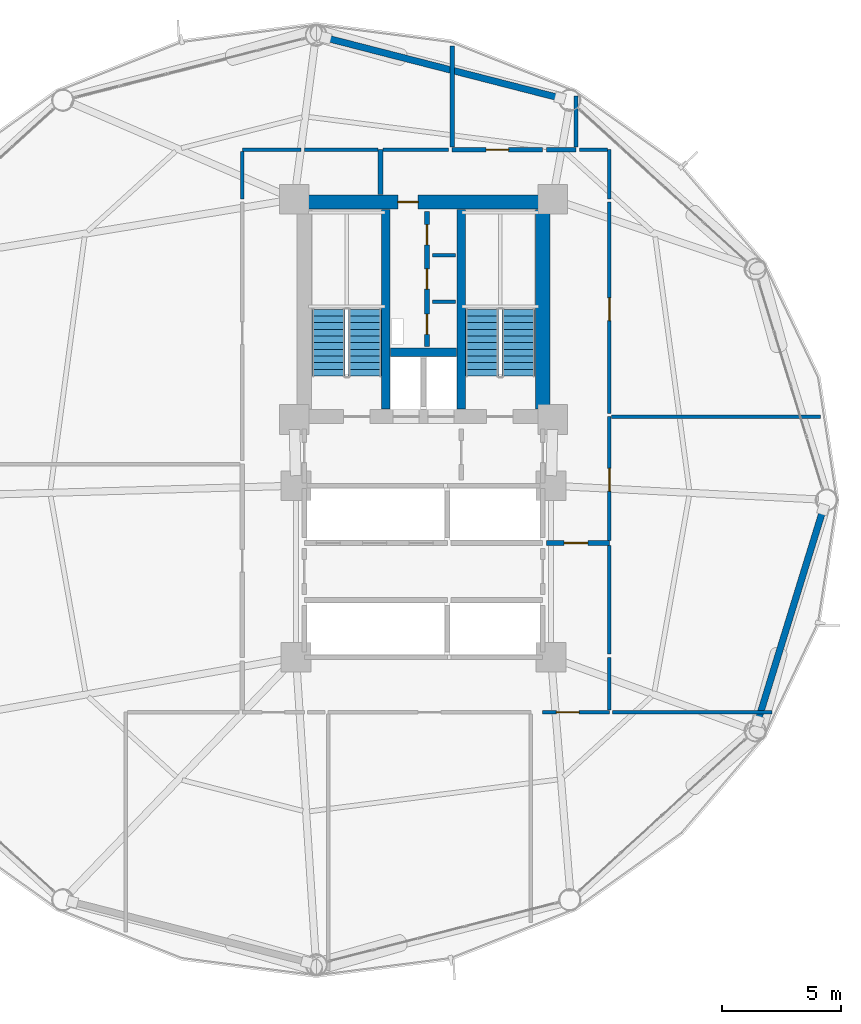
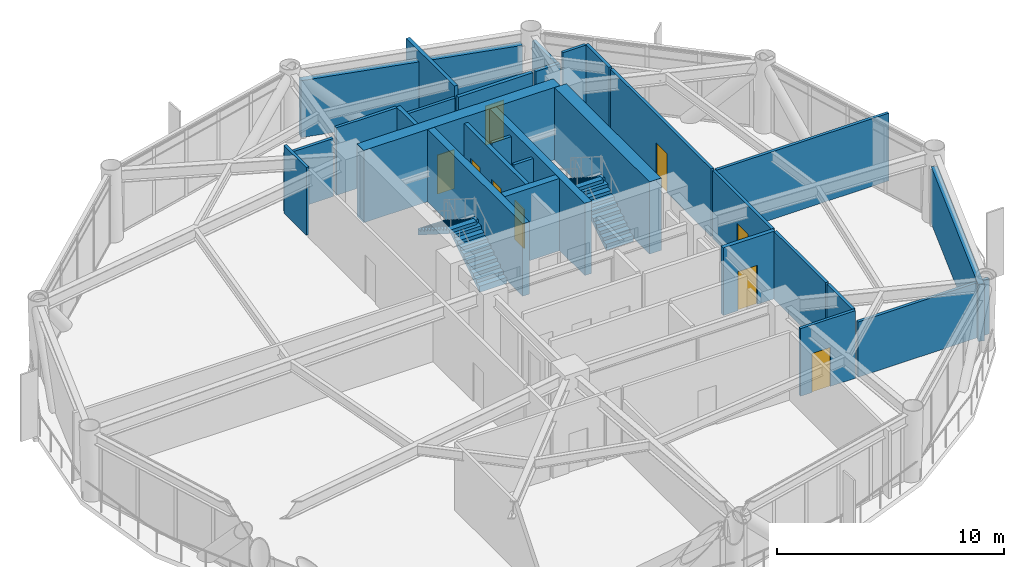
# One storey, part 21 of 25: 29 walls, 9 doors, 4 stair flights, 9 openings, 2 elements without a shape of their own.
"""IFC4 building model written with IfcOpenShell, lengths in metres."""

from ifc_helpers import new_model, si_unit, direction, frame, frame_2d, origin, place, context, subcontext, project, spatial, polyline, rectangle, outline, extrude, material, layer, layer_set, type_object, element, fill, aggregate, save


model = new_model("IFC4")

# Units and contexts
model_context = context("Model", 3, precision=1e-05, world=origin(), true_north=direction((0.0, 1.0)))
body_context = subcontext(model_context, "Body", "Model", "MODEL_VIEW")
ifc_project = project(units=[si_unit("LENGTHUNIT", "METRE"), si_unit("AREAUNIT", "SQUARE_METRE"), si_unit("VOLUMEUNIT", "CUBIC_METRE"), si_unit("PLANEANGLEUNIT", "RADIAN"), si_unit("MASSUNIT", "GRAM", prefix="KILO")], contexts=[model_context])

# Site, building, storey
site_placement = place(None, origin())
site = spatial("IfcSite", under=ifc_project, at=site_placement, CompositionType="ELEMENT")
building_placement = place(site_placement, origin())
building = spatial("IfcBuilding", under=site, at=building_placement, Name="Varnakorn Sky Granary", CompositionType="ELEMENT")
storey_placement = place(building_placement, frame((0.0, 0.0, 58.800048828125)))
storey = spatial("IfcBuildingStorey", under=building, at=storey_placement, Name="L14", CompositionType="ELEMENT", Elevation=58.800048828125)

# Walls
ifc_material_1 = material(Name="Concrete C50/60", Category="concrete")
ifc_layer_1 = layer(ifc_material_1, 0.35009765625, Name="Concrete C50/60")
ifc_layer_set_1 = layer_set([ifc_layer_1], Name="Concrete C50/60")
wall_type_1 = type_object("IfcWallType", Name="WT-CW-INT-350", PredefinedType="SHEAR", material=ifc_layer_set_1)
for number, where, z_axis, x_axis, name in (
    (1, (1.419921875, 3.81005859375, 0.0), (0.0, 0.0, 1.0), (0.0, 1.0, 0.0), "Stair ST-1 Core Wall L14"),
    (2, (4.580078125, 3.81005859375, 0.0), (0.0, 0.0, 1.0), (0.0, 1.0, 0.0), "Stair ST-2 Core Wall L14"),
):
    element("IfcWall", number, at=place(storey_placement, frame(where, z_axis=z_axis, x_axis=x_axis)), inside=storey, type_object=wall_type_1, Name=name, PredefinedType="SHEAR", context=body_context, shape_type="SweptSolid", body=[
        extrude(rectangle(XDim=8.3798828125, YDim=0.35009765625, at=frame_2d((4.18994140625, 0.0))), origin(), (0.0, 0.0, 1.0), 3.891845703125),
    ])
wall_1_placement = place(storey_placement, frame((1.610107421875, 6.199951171875, 0.0), z_axis=(0.0, 0.0, 1.0), x_axis=(1.0, 0.0, 0.0)))
element("IfcWall", 3, at=wall_1_placement, inside=storey, type_object=wall_type_1, Name="Core Lift Shaft Cross Wall L14", PredefinedType="SHEAR", context=body_context, shape_type="SweptSolid", body=[
    extrude(rectangle(XDim=2.77978515625, YDim=0.35009765625, at=frame_2d((1.389892578125, 0.0))), origin(), (0.0, 0.0, 1.0), 3.891845703125),
])

# Wall, opening, door
ifc_material_2 = material(Name="Concrete C60/75", Category="concrete")
ifc_layer_2 = layer(ifc_material_2, 0.60009765625, Name="Concrete C60/75")
ifc_layer_set_2 = layer_set([ifc_layer_2], Name="Concrete C60/75")
wall_type_2 = type_object("IfcWallType", Name="WT-CW-SHEAR-600", PredefinedType="SHEAR", material=ifc_layer_set_2)
wall_2_placement = place(storey_placement, frame((-2.0, 12.5, 0.0), z_axis=(0.0, 0.0, 1.0), x_axis=(1.0, 0.0, 0.0)))
wall_2 = element("IfcWall", 4, at=wall_2_placement, inside=storey, type_object=wall_type_2, Name="Core North Shear Wall L14", PredefinedType="SHEAR", context=body_context, shape_type="SweptSolid", body=[
    extrude(rectangle(XDim=10.0, YDim=0.60009765625, at=frame_2d((5.0, 0.0))), origin(), (0.0, 0.0, 1.0), 3.891845703125),
])
opening_1_placement = place(wall_2_placement, frame((3.919921875, 0.0, 0.0)))
opening_1 = element("IfcOpeningElement", 5, at=opening_1_placement, cuts=wall_2, Name="Opening FD-60N", PredefinedType="OPENING", context=body_context, shape_type="SweptSolid", body=[
    extrude(rectangle(XDim=0.85009765625, YDim=2.10009765625, at=frame_2d((0.425048828125, 1.050048828125))), frame((0.0, 0.31005859375, 0.0), z_axis=(0.0, -1.0, 0.0), x_axis=(1.0, 0.0, 0.0)), (0.0, 0.0, 1.0), 0.6201171875),
])
ifc_material_3 = material(Name="Acoustic Timber Fire Leaf", Category="wood")
door_type_1 = type_object("IfcDoorType", Name="DR-FD60-850", OperationType="NOTDEFINED", PredefinedType="DOOR", material=ifc_material_3)
door_1_placement = place(opening_1_placement, origin())
door_1 = element("IfcDoor", 6, at=door_1_placement, inside=storey, type_object=door_type_1, Name="Core North Service Door L14", OperationType="SINGLE_SWING_RIGHT", OverallHeight=2.10009765625, OverallWidth=0.85009765625, PredefinedType="DOOR", context=body_context, shape_type="SweptSolid", body=[
    extrude(rectangle(XDim=0.85009765625, YDim=2.10009765625, at=frame_2d((0.425048828125, 1.050048828125))), frame((0.0, 0.02490234375, 0.0), z_axis=(0.0, -1.0, 0.0), x_axis=(1.0, 0.0, 0.0)), (0.0, 0.0, 1.0), 0.050048828125),
])
fill(opening_1, door_1)

# Walls
wall_3_placement = place(storey_placement, frame((8.0, 3.81005859375, 0.0), z_axis=(0.0, 0.0, 1.0), x_axis=(0.0, 1.0, 0.0)))
element("IfcWall", 7, at=wall_3_placement, inside=storey, type_object=wall_type_2, Name="Core East Shear Wall L14", PredefinedType="SHEAR", context=body_context, shape_type="SweptSolid", body=[
    extrude(rectangle(XDim=8.3798828125, YDim=0.60009765625, at=frame_2d((4.18994140625, 0.0))), origin(), (0.0, 0.0, 1.0), 3.891845703125),
])
ifc_material_4 = material(Name="Precast concrete C40/50", Category="concrete")
ifc_layer_3 = layer(ifc_material_4, 0.280029296875, Name="Precast concrete C40/50")
ifc_layer_set_3 = layer_set([ifc_layer_3], Name="Precast concrete C40/50")
wall_type_3 = type_object("IfcWallType", Name="WT-EW-CRN-280", PredefinedType="SOLIDWALL", material=ifc_layer_set_3)
wall_4_placement = place(storey_placement, frame((-1.100830078125, 19.3876953125, 0.0), z_axis=(0.0, 0.0, 1.0), x_axis=(0.968583068647, -0.248690247355, 0.0)))
element("IfcWall", 8, at=wall_4_placement, inside=storey, type_object=wall_type_3, Name="Agritech Insulated Precast Facade Wall L14-P03", PredefinedType="SOLIDWALL", context=body_context, shape_type="SweptSolid", body=[
    extrude(rectangle(XDim=10.14697265625, YDim=0.280029296875, at=frame_2d((5.073486328125, 0.0))), origin(), (0.0, 0.0, 1.0), 3.06005859375),
])
wall_5_placement = place(storey_placement, frame((19.7666015625, -0.393798828125, 0.0), z_axis=(0.0, 0.0, 1.0), x_axis=(-0.294517365883, -0.955646127598, 0.0)))
element("IfcWall", 9, at=wall_5_placement, inside=storey, type_object=wall_type_3, Name="Agritech Insulated Precast Facade Wall L14-P12", PredefinedType="SOLIDWALL", context=body_context, shape_type="SweptSolid", body=[
    extrude(rectangle(XDim=9.302490234375, YDim=0.280029296875, at=frame_2d((4.6513671875, 0.0))), origin(), (0.0, 0.0, 1.0), 3.06005859375),
])

# Wall, openings, doors
ifc_material_5 = material(Name="Autoclaved Aerated Concrete Blockwork", Category="masonry")
ifc_layer_4 = layer(ifc_material_5, 0.199951171875, Name="Autoclaved Aerated Concrete Blockwork")
ifc_layer_set_4 = layer_set([ifc_layer_4], Name="Autoclaved Aerated Concrete Blockwork")
wall_type_4 = type_object("IfcWallType", Name="WT-FIRE-200", PredefinedType="MOVABLE", material=ifc_layer_set_4)
wall_6_placement = place(storey_placement, frame((3.14990234375, 6.449951171875, 0.0), z_axis=(0.0, 0.0, 1.0), x_axis=(0.0, 1.0, 0.0)))
wall_6 = element("IfcWall", 10, at=wall_6_placement, inside=storey, type_object=wall_type_4, Name="Interior Partition Wall L14-015", PredefinedType="MOVABLE", context=body_context, shape_type="SweptSolid", body=[
    extrude(rectangle(XDim=5.650146484375, YDim=0.199951171875, at=frame_2d((2.8251953125, 0.0))), origin(), (0.0, 0.0, 1.0), 3.639892578125),
])
opening_2_placement = place(wall_6_placement, frame((0.5, 0.0, 0.0)))
opening_2 = element("IfcOpeningElement", 11, at=opening_2_placement, cuts=wall_6, Name="Opening FD-60N", PredefinedType="OPENING", context=body_context, shape_type="SweptSolid", body=[
    extrude(rectangle(XDim=0.85009765625, YDim=2.10009765625, at=frame_2d((0.425048828125, 1.050048828125))), frame((0.0, 0.10986328125, 0.0), z_axis=(0.0, -1.0, 0.0), x_axis=(1.0, 0.0, 0.0)), (0.0, 0.0, 1.0), 0.219970703125),
])
opening_3_placement = place(wall_6_placement, frame((2.39990234375, 0.0, 0.0)))
opening_3 = element("IfcOpeningElement", 12, at=opening_3_placement, cuts=wall_6, Name="Opening FD-60N", PredefinedType="OPENING", context=body_context, shape_type="SweptSolid", body=[
    extrude(rectangle(XDim=0.85009765625, YDim=2.10009765625, at=frame_2d((0.425048828125, 1.050048828125))), frame((0.0, 0.10986328125, 0.0), z_axis=(0.0, -1.0, 0.0), x_axis=(1.0, 0.0, 0.0)), (0.0, 0.0, 1.0), 0.219970703125),
])
opening_4_placement = place(wall_6_placement, frame((4.25, 0.0, 0.0)))
opening_4 = element("IfcOpeningElement", 13, at=opening_4_placement, cuts=wall_6, Name="Opening FD-60N", PredefinedType="OPENING", context=body_context, shape_type="SweptSolid", body=[
    extrude(rectangle(XDim=0.85009765625, YDim=2.10009765625, at=frame_2d((0.425048828125, 1.050048828125))), frame((0.0, 0.10986328125, 0.0), z_axis=(0.0, -1.0, 0.0), x_axis=(1.0, 0.0, 0.0)), (0.0, 0.0, 1.0), 0.219970703125),
])
door_2_placement = place(opening_2_placement, origin())
door_2 = element("IfcDoor", 14, at=door_2_placement, inside=storey, type_object=door_type_1, Name="Interior Door L14-015-1", OperationType="SINGLE_SWING_LEFT", OverallHeight=2.10009765625, OverallWidth=0.85009765625, PredefinedType="DOOR", context=body_context, shape_type="SweptSolid", body=[
    extrude(rectangle(XDim=0.85009765625, YDim=2.10009765625, at=frame_2d((0.425048828125, 1.050048828125))), frame((0.0, 0.02490234375, 0.0), z_axis=(0.0, -1.0, 0.0), x_axis=(1.0, 0.0, 0.0)), (0.0, 0.0, 1.0), 0.050048828125),
])
fill(opening_2, door_2)
door_3_placement = place(opening_3_placement, origin())
door_3 = element("IfcDoor", 15, at=door_3_placement, inside=storey, type_object=door_type_1, Name="Interior Door L14-015-2", OperationType="SINGLE_SWING_RIGHT", OverallHeight=2.10009765625, OverallWidth=0.85009765625, PredefinedType="DOOR", context=body_context, shape_type="SweptSolid", body=[
    extrude(rectangle(XDim=0.85009765625, YDim=2.10009765625, at=frame_2d((0.425048828125, 1.050048828125))), frame((0.0, 0.02490234375, 0.0), z_axis=(0.0, -1.0, 0.0), x_axis=(1.0, 0.0, 0.0)), (0.0, 0.0, 1.0), 0.050048828125),
])
fill(opening_3, door_3)
door_4_placement = place(opening_4_placement, origin())
door_4 = element("IfcDoor", 16, at=door_4_placement, inside=storey, type_object=door_type_1, Name="Interior Door L14-015-3", OperationType="SINGLE_SWING_LEFT", OverallHeight=2.10009765625, OverallWidth=0.85009765625, PredefinedType="DOOR", context=body_context, shape_type="SweptSolid", body=[
    extrude(rectangle(XDim=0.85009765625, YDim=2.10009765625, at=frame_2d((0.425048828125, 1.050048828125))), frame((0.0, 0.02490234375, 0.0), z_axis=(0.0, -1.0, 0.0), x_axis=(1.0, 0.0, 0.0)), (0.0, 0.0, 1.0), 0.050048828125),
])
fill(opening_4, door_4)

# Wall, opening, door
wall_7_placement = place(storey_placement, frame((8.159912109375, -1.800048828125, 0.0), z_axis=(0.0, 0.0, 1.0), x_axis=(1.0, 0.0, 0.0)))
wall_7 = element("IfcWall", 17, at=wall_7_placement, inside=storey, type_object=wall_type_4, Name="Interior Partition Wall L14-021", PredefinedType="MOVABLE", context=body_context, shape_type="SweptSolid", body=[
    extrude(rectangle(XDim=2.64013671875, YDim=0.199951171875, at=frame_2d((1.320068359375, 0.0))), origin(), (0.0, 0.0, 1.0), 3.639892578125),
])
opening_5_placement = place(wall_7_placement, frame((0.739990234375, 0.0, 0.0)))
opening_5 = element("IfcOpeningElement", 18, at=opening_5_placement, cuts=wall_7, Name="Opening FD-60", PredefinedType="OPENING", context=body_context, shape_type="SweptSolid", body=[
    extrude(rectangle(XDim=1.0, YDim=2.10009765625, at=frame_2d((0.5, 1.050048828125))), frame((0.0, 0.10986328125, 0.0), z_axis=(0.0, -1.0, 0.0), x_axis=(1.0, 0.0, 0.0)), (0.0, 0.0, 1.0), 0.219970703125),
])
door_type_2 = type_object("IfcDoorType", Name="DR-FD60-1000", OperationType="NOTDEFINED", PredefinedType="DOOR", material=ifc_material_3)
door_5_placement = place(opening_5_placement, origin())
door_5 = element("IfcDoor", 19, at=door_5_placement, inside=storey, type_object=door_type_2, Name="Interior Door L14-021-1", OperationType="SINGLE_SWING_LEFT", OverallHeight=2.10009765625, OverallWidth=1.0, PredefinedType="DOOR", context=body_context, shape_type="SweptSolid", body=[
    extrude(rectangle(XDim=1.0, YDim=2.10009765625, at=frame_2d((0.5, 1.050048828125))), frame((0.0, 0.02490234375, 0.0), z_axis=(0.0, -1.0, 0.0), x_axis=(1.0, 0.0, 0.0)), (0.0, 0.0, 1.0), 0.050048828125),
])
fill(opening_5, door_5)

# Wall
wall_8_placement = place(storey_placement, frame((1.199951171875, 14.699951171875, 0.0), z_axis=(0.0, 0.0, 1.0), x_axis=(0.0, -1.0, 0.0)))
element("IfcWall", 20, at=wall_8_placement, inside=storey, type_object=wall_type_4, Name="Interior Partition Wall L14-033", PredefinedType="MOVABLE", context=body_context, shape_type="SweptSolid", body=[
    extrude(rectangle(XDim=1.889892578125, YDim=0.199951171875, at=frame_2d((0.94482421875, 0.0))), origin(), (0.0, 0.0, 1.0), 3.639892578125),
])

# Wall, opening, door
ifc_material_6 = material(Name="Gypsum Plasterboard on Steel Stud", Category="steel")
ifc_layer_5 = layer(ifc_material_6, 0.14990234375, Name="Gypsum Plasterboard on Steel Stud")
ifc_layer_set_5 = layer_set([ifc_layer_5], Name="Gypsum Plasterboard on Steel Stud")
wall_type_5 = type_object("IfcWallType", Name="WT-PART-150", PredefinedType="PARTITIONING", material=ifc_layer_set_5)
wall_9_placement = place(storey_placement, frame((8.0, -8.89990234375, 0.0), z_axis=(0.0, 0.0, 1.0), x_axis=(1.0, 0.0, 0.0)))
wall_9 = element("IfcWall", 21, at=wall_9_placement, inside=storey, type_object=wall_type_5, Name="Interior Partition Wall L14-025", PredefinedType="PARTITIONING", context=body_context, shape_type="SweptSolid", body=[
    extrude(rectangle(XDim=2.800048828125, YDim=0.14990234375, at=frame_2d((1.39990234375, 0.0))), origin(), (0.0, 0.0, 1.0), 3.639892578125),
])
opening_6_placement = place(wall_9_placement, frame((0.574951171875, 0.0, 0.0)))
opening_6 = element("IfcOpeningElement", 22, at=opening_6_placement, cuts=wall_9, Name="Opening ID-95", PredefinedType="OPENING", context=body_context, shape_type="SweptSolid", body=[
    extrude(rectangle(XDim=0.949951171875, YDim=2.10009765625, at=frame_2d((0.47509765625, 1.050048828125))), frame((0.0, 0.0849609375, 0.0), z_axis=(0.0, -1.0, 0.0), x_axis=(1.0, 0.0, 0.0)), (0.0, 0.0, 1.0), 0.169921875),
])
ifc_material_7 = material(Name="Solid-Core Teak Veneer Leaf", Category="timber")
door_type_3 = type_object("IfcDoorType", Name="DR-INT-950", OperationType="NOTDEFINED", PredefinedType="DOOR", material=ifc_material_7)
door_6_placement = place(opening_6_placement, origin())
door_6 = element("IfcDoor", 23, at=door_6_placement, inside=storey, type_object=door_type_3, Name="Interior Door L14-025-1", OperationType="SINGLE_SWING_LEFT", OverallHeight=2.10009765625, OverallWidth=0.949951171875, PredefinedType="DOOR", context=body_context, shape_type="SweptSolid", body=[
    extrude(rectangle(XDim=0.949951171875, YDim=2.10009765625, at=frame_2d((0.47509765625, 1.050048828125))), frame((0.0, 0.02490234375, 0.0), z_axis=(0.0, -1.0, 0.0), x_axis=(1.0, 0.0, 0.0)), (0.0, 0.0, 1.0), 0.050048828125),
])
fill(opening_6, door_6)

wall_10_placement = place(storey_placement, frame((10.800048828125, -1.68994140625, 0.0), z_axis=(0.0, 0.0, 1.0), x_axis=(0.0, 1.0, 0.0)))
wall_10 = element("IfcWall", 24, at=wall_10_placement, inside=storey, type_object=wall_type_5, Name="Interior Partition Wall L14-028", PredefinedType="PARTITIONING", context=body_context, shape_type="SweptSolid", body=[
    extrude(rectangle(XDim=5.18994140625, YDim=0.14990234375, at=frame_2d((2.594970703125, 0.0))), origin(), (0.0, 0.0, 1.0), 3.639892578125),
])
opening_7_placement = place(wall_10_placement, frame((2.06494140625, 0.0, 0.0)))
opening_7 = element("IfcOpeningElement", 25, at=opening_7_placement, cuts=wall_10, Name="Opening ID-95", PredefinedType="OPENING", context=body_context, shape_type="SweptSolid", body=[
    extrude(rectangle(XDim=0.949951171875, YDim=2.10009765625, at=frame_2d((0.47509765625, 1.050048828125))), frame((0.0, 0.0849609375, 0.0), z_axis=(0.0, -1.0, 0.0), x_axis=(1.0, 0.0, 0.0)), (0.0, 0.0, 1.0), 0.169921875),
])
door_7_placement = place(opening_7_placement, origin())
door_7 = element("IfcDoor", 26, at=door_7_placement, inside=storey, type_object=door_type_3, Name="Interior Door L14-028-1", OperationType="SINGLE_SWING_RIGHT", OverallHeight=2.10009765625, OverallWidth=0.949951171875, PredefinedType="DOOR", context=body_context, shape_type="SweptSolid", body=[
    extrude(rectangle(XDim=0.949951171875, YDim=2.10009765625, at=frame_2d((0.47509765625, 1.050048828125))), frame((0.0, 0.02490234375, 0.0), z_axis=(0.0, -1.0, 0.0), x_axis=(1.0, 0.0, 0.0)), (0.0, 0.0, 1.0), 0.050048828125),
])
fill(opening_7, door_7)

wall_11_placement = place(storey_placement, frame((10.800048828125, 3.635009765625, 0.0), z_axis=(0.0, 0.0, 1.0), x_axis=(0.0, 1.0, 0.0)))
wall_11 = element("IfcWall", 27, at=wall_11_placement, inside=storey, type_object=wall_type_5, Name="Interior Partition Wall L14-029", PredefinedType="PARTITIONING", context=body_context, shape_type="SweptSolid", body=[
    extrude(rectangle(XDim=8.864990234375, YDim=0.14990234375, at=frame_2d((4.4326171875, 0.0))), origin(), (0.0, 0.0, 1.0), 3.639892578125),
])
opening_8_placement = place(wall_11_placement, frame((3.889892578125, 0.0, 0.0)))
opening_8 = element("IfcOpeningElement", 28, at=opening_8_placement, cuts=wall_11, Name="Opening ID-95", PredefinedType="OPENING", context=body_context, shape_type="SweptSolid", body=[
    extrude(rectangle(XDim=0.949951171875, YDim=2.10009765625, at=frame_2d((0.47509765625, 1.050048828125))), frame((0.0, 0.0849609375, 0.0), z_axis=(0.0, -1.0, 0.0), x_axis=(1.0, 0.0, 0.0)), (0.0, 0.0, 1.0), 0.169921875),
])
door_8_placement = place(opening_8_placement, origin())
door_8 = element("IfcDoor", 29, at=door_8_placement, inside=storey, type_object=door_type_3, Name="Interior Door L14-029-1", OperationType="SINGLE_SWING_LEFT", OverallHeight=2.10009765625, OverallWidth=0.949951171875, PredefinedType="DOOR", context=body_context, shape_type="SweptSolid", body=[
    extrude(rectangle(XDim=0.949951171875, YDim=2.10009765625, at=frame_2d((0.47509765625, 1.050048828125))), frame((0.0, 0.02490234375, 0.0), z_axis=(0.0, -1.0, 0.0), x_axis=(1.0, 0.0, 0.0)), (0.0, 0.0, 1.0), 0.050048828125),
])
fill(opening_8, door_8)

# Walls
for number, where, z_axis, x_axis, name in (
    (30, (3.3701171875, 8.320068359375, 0.0), (0.0, 0.0, 1.0), (1.0, 0.0, 0.0), "Interior Partition Wall L14-030"),
    (31, (3.3701171875, 10.260009765625, 0.0), (0.0, 0.0, 1.0), (1.0, 0.0, 0.0), "Interior Partition Wall L14-031"),
):
    element("IfcWall", number, at=place(storey_placement, frame(where, z_axis=z_axis, x_axis=x_axis)), inside=storey, type_object=wall_type_5, Name=name, PredefinedType="PARTITIONING", context=body_context, shape_type="SweptSolid", body=[
        extrude(rectangle(XDim=0.97998046875, YDim=0.14990234375, at=frame_2d((0.489990234375, 0.0))), origin(), (0.0, 0.0, 1.0), 3.639892578125),
    ])
wall_12_placement = place(storey_placement, frame((10.93505859375, -8.89990234375, 0.0), z_axis=(0.0, 0.0, 1.0), x_axis=(1.0, 0.0, 0.0)))
element("IfcWall", 32, at=wall_12_placement, inside=storey, type_object=wall_type_5, Name="Interior Partition Wall L14-040", PredefinedType="PARTITIONING", context=body_context, shape_type="SweptSolid", body=[
    extrude(rectangle(XDim=6.681884765625, YDim=0.14990234375, at=frame_2d((3.3408203125, 0.0))), origin(), (0.0, 0.0, 1.0), 2.971923828125),
])
wall_13_placement = place(storey_placement, frame((1.090087890625, 14.699951171875, 0.0), z_axis=(0.0, 0.0, 1.0), x_axis=(-1.0, 0.0, 0.0)))
element("IfcWall", 33, at=wall_13_placement, inside=storey, type_object=wall_type_5, Name="Interior Partition Wall L14-043", PredefinedType="PARTITIONING", context=body_context, shape_type="SweptSolid", body=[
    extrude(rectangle(XDim=3.090087890625, YDim=0.14990234375, at=frame_2d((1.544921875, 0.0))), origin(), (0.0, 0.0, 1.0), 3.639892578125),
])
wall_14_placement = place(storey_placement, frame((-2.135009765625, 14.699951171875, 0.0), z_axis=(0.0, 0.0, 1.0), x_axis=(-1.0, 0.0, 0.0)))
element("IfcWall", 34, at=wall_14_placement, inside=storey, type_object=wall_type_5, Name="Interior Partition Wall L14-044", PredefinedType="PARTITIONING", context=body_context, shape_type="SweptSolid", body=[
    extrude(rectangle(XDim=2.465087890625, YDim=0.14990234375, at=frame_2d((1.232421875, 0.0))), origin(), (0.0, 0.0, 1.0), 3.1220703125),
])
wall_15_placement = place(storey_placement, frame((-4.60009765625, 14.614990234375, 0.0), z_axis=(0.0, 0.0, 1.0), x_axis=(0.0, -1.0, 0.0)))
element("IfcWall", 35, at=wall_15_placement, inside=storey, type_object=wall_type_5, Name="Interior Partition Wall L14-045", PredefinedType="PARTITIONING", context=body_context, shape_type="SweptSolid", body=[
    extrude(rectangle(XDim=1.97998046875, YDim=0.14990234375, at=frame_2d((0.989990234375, 0.0))), origin(), (0.0, 0.0, 1.0), 3.639892578125),
])
wall_16_placement = place(storey_placement, frame((4.050048828125, 14.699951171875, 0.0), z_axis=(0.0, 0.0, 1.0), x_axis=(-1.0, 0.0, 0.0)))
element("IfcWall", 36, at=wall_16_placement, inside=storey, type_object=wall_type_5, Name="Interior Partition Wall L14-046", PredefinedType="PARTITIONING", context=body_context, shape_type="SweptSolid", body=[
    extrude(rectangle(XDim=2.739990234375, YDim=0.14990234375, at=frame_2d((1.3701171875, 0.0))), origin(), (0.0, 0.0, 1.0), 3.1220703125),
])
wall_17_placement = place(storey_placement, frame((10.800048828125, -8.81494140625, 0.0), z_axis=(0.0, 0.0, 1.0), x_axis=(0.0, 1.0, 0.0)))
element("IfcWall", 37, at=wall_17_placement, inside=storey, type_object=wall_type_5, Name="Interior Partition Wall L14-048", PredefinedType="PARTITIONING", context=body_context, shape_type="SweptSolid", body=[
    extrude(rectangle(XDim=2.21484375, YDim=0.14990234375, at=frame_2d((1.107421875, 0.0))), origin(), (0.0, 0.0, 1.0), 3.639892578125),
])
wall_18_placement = place(storey_placement, frame((10.800048828125, -6.465087890625, 0.0), z_axis=(0.0, 0.0, 1.0), x_axis=(0.0, 1.0, 0.0)))
element("IfcWall", 38, at=wall_18_placement, inside=storey, type_object=wall_type_5, Name="Interior Partition Wall L14-049", PredefinedType="PARTITIONING", context=body_context, shape_type="SweptSolid", body=[
    extrude(rectangle(XDim=4.55517578125, YDim=0.14990234375, at=frame_2d((2.277587890625, 0.0))), origin(), (0.0, 0.0, 1.0), 3.639892578125),
])
wall_19_placement = place(storey_placement, frame((10.885009765625, 3.5, 0.0), z_axis=(0.0, 0.0, 1.0), x_axis=(1.0, 0.0, 0.0)))
element("IfcWall", 39, at=wall_19_placement, inside=storey, type_object=wall_type_5, Name="Interior Partition Wall L14-050", PredefinedType="PARTITIONING", context=body_context, shape_type="SweptSolid", body=[
    extrude(rectangle(XDim=8.777099609375, YDim=0.14990234375, at=frame_2d((4.388671875, 0.0))), origin(), (0.0, 0.0, 1.0), 3.639892578125),
])
wall_20_placement = place(storey_placement, frame((10.800048828125, 12.635009765625, 0.0), z_axis=(0.0, 0.0, 1.0), x_axis=(0.0, 1.0, 0.0)))
element("IfcWall", 40, at=wall_20_placement, inside=storey, type_object=wall_type_5, Name="Interior Partition Wall L14-051", PredefinedType="PARTITIONING", context=body_context, shape_type="SweptSolid", body=[
    extrude(rectangle(XDim=2.06494140625, YDim=0.14990234375, at=frame_2d((1.032470703125, 0.0))), origin(), (0.0, 0.0, 1.0), 3.639892578125),
])
wall_21_placement = place(storey_placement, frame((10.715087890625, 14.699951171875, 0.0), z_axis=(0.0, 0.0, 1.0), x_axis=(-1.0, 0.0, 0.0)))
element("IfcWall", 41, at=wall_21_placement, inside=storey, type_object=wall_type_5, Name="Interior Partition Wall L14-052", PredefinedType="PARTITIONING", context=body_context, shape_type="SweptSolid", body=[
    extrude(rectangle(XDim=1.1650390625, YDim=0.14990234375, at=frame_2d((0.58251953125, 0.0))), origin(), (0.0, 0.0, 1.0), 3.639892578125),
])

# Wall, opening, door
ifc_material_8 = material(Name="Moisture-Resistant Gypsum on Stud", Category="gypsum")
ifc_layer_6 = layer(ifc_material_8, 0.179931640625, Name="Moisture-Resistant Gypsum on Stud")
ifc_layer_set_6 = layer_set([ifc_layer_6], Name="Moisture-Resistant Gypsum on Stud")
wall_type_6 = type_object("IfcWallType", Name="WT-PLUMB-180", PredefinedType="PLUMBINGWALL", material=ifc_layer_set_6)
wall_22_placement = place(storey_placement, frame((8.0, 14.699951171875, 0.0), z_axis=(0.0, 0.0, 1.0), x_axis=(-1.0, 0.0, 0.0)))
wall_22 = element("IfcWall", 42, at=wall_22_placement, inside=storey, type_object=wall_type_6, Name="Interior Partition Wall L14-022", PredefinedType="PLUMBINGWALL", context=body_context, shape_type="SweptSolid", body=[
    extrude(rectangle(XDim=3.800048828125, YDim=0.179931640625, at=frame_2d((1.89990234375, 0.0))), origin(), (0.0, 0.0, 1.0), 3.1220703125),
])
opening_9_placement = place(wall_22_placement, frame((1.425048828125, 0.0, 0.0)))
opening_9 = element("IfcOpeningElement", 43, at=opening_9_placement, cuts=wall_22, Name="Opening ID-95", PredefinedType="OPENING", context=body_context, shape_type="SweptSolid", body=[
    extrude(rectangle(XDim=0.949951171875, YDim=2.10009765625, at=frame_2d((0.47509765625, 1.050048828125))), frame((0.0, 0.10009765625, 0.0), z_axis=(0.0, -1.0, 0.0), x_axis=(1.0, 0.0, 0.0)), (0.0, 0.0, 1.0), 0.199951171875),
])
door_9_placement = place(opening_9_placement, origin())
door_9 = element("IfcDoor", 44, at=door_9_placement, inside=storey, type_object=door_type_3, Name="Interior Door L14-022-1", OperationType="SINGLE_SWING_RIGHT", OverallHeight=2.10009765625, OverallWidth=0.949951171875, PredefinedType="DOOR", context=body_context, shape_type="SweptSolid", body=[
    extrude(rectangle(XDim=0.949951171875, YDim=2.10009765625, at=frame_2d((0.47509765625, 1.050048828125))), frame((0.0, 0.02490234375, 0.0), z_axis=(0.0, -1.0, 0.0), x_axis=(1.0, 0.0, 0.0)), (0.0, 0.0, 1.0), 0.050048828125),
])
fill(opening_9, door_9)

# Walls
wall_23_placement = place(storey_placement, frame((9.39990234375, 14.699951171875, 0.0), z_axis=(0.0, 0.0, 1.0), x_axis=(-1.0, 0.0, 0.0)))
element("IfcWall", 45, at=wall_23_placement, inside=storey, type_object=wall_type_6, Name="Interior Partition Wall L14-034", PredefinedType="PLUMBINGWALL", context=body_context, shape_type="SweptSolid", body=[
    extrude(rectangle(XDim=1.25, YDim=0.179931640625, at=frame_2d((0.625, 0.0))), origin(), (0.0, 0.0, 1.0), 3.1220703125),
])
wall_24_placement = place(storey_placement, frame((4.199951171875, 19.0439453125, 0.0), z_axis=(0.0, 0.0, 1.0), x_axis=(0.0, -1.0, 0.0)))
element("IfcWall", 46, at=wall_24_placement, inside=storey, type_object=wall_type_6, Name="Interior Partition Wall L14-047", PredefinedType="PLUMBINGWALL", context=body_context, shape_type="SweptSolid", body=[
    extrude(rectangle(XDim=4.243896484375, YDim=0.179931640625, at=frame_2d((2.1220703125, 0.0))), origin(), (0.0, 0.0, 1.0), 3.639892578125),
])
wall_25_placement = place(storey_placement, frame((9.39990234375, 14.800048828125, 0.0), z_axis=(0.0, 0.0, 1.0), x_axis=(0.0, 1.0, 0.0)))
element("IfcWall", 47, at=wall_25_placement, inside=storey, type_object=wall_type_6, Name="Interior Partition Wall L14-053", PredefinedType="PLUMBINGWALL", context=body_context, shape_type="SweptSolid", body=[
    extrude(rectangle(XDim=2.14599609375, YDim=0.179931640625, at=frame_2d((1.072998046875, 0.0))), origin(), (0.0, 0.0, 1.0), 2.971923828125),
])

# Stair, stair flights
ifc_material_9 = material(Name="Concrete C40/50", Category="concrete")
stair_type = type_object("IfcStairType", Name="ST-MAIN-ASSEMBLY", PredefinedType="HALF_TURN_STAIR", material=ifc_material_9)
stair_1_placement = place(storey_placement, origin())
stair_1 = element("IfcStair", 48, at=stair_1_placement, inside=storey, type_object=stair_type, Name="L14 Protected Exit Stair ST-1", PredefinedType="HALF_TURN_STAIR")
stair_flight_type = type_object("IfcStairFlightType", Name="ST-MAIN-FLIGHT", PredefinedType="STRAIGHT", material=ifc_material_9)
stair_flight_1_placement = place(storey_placement, frame((0.550048828125, 5.199951171875, 0.0), z_axis=(0.0, 0.0, 1.0), x_axis=(0.0, 1.0, 0.0)))
stair_flight_1 = element("IfcStairFlight", 49, at=stair_flight_1_placement, type_object=stair_flight_type, Name="ST-1 flight 1", NumberOfRisers=11, NumberOfTreads=10, PredefinedType="STRAIGHT", RiserHeight=0.177272727, TreadLength=0.28, context=body_context, shape_type="SweptSolid", body=[
    extrude(outline(polyline([(0.0, -0.14990234375), (0.0, 0.0), (0.0, 0.17724609375), (0.280029296875, 0.17724609375), (0.280029296875, 0.3544921875), (0.56005859375, 0.3544921875), (0.56005859375, 0.53173828125), (0.840087890625, 0.53173828125), (0.840087890625, 0.708984375), (1.1201171875, 0.708984375), (1.1201171875, 0.886474609375), (1.39990234375, 0.886474609375), (1.39990234375, 1.063720703125), (1.679931640625, 1.063720703125), (1.679931640625, 1.240966796875), (1.9599609375, 1.240966796875), (1.9599609375, 1.418212890625), (2.239990234375, 1.418212890625), (2.239990234375, 1.595458984375), (2.52001953125, 1.595458984375), (2.52001953125, 1.772705078125), (2.800048828125, 1.772705078125), (2.800048828125, 1.949951171875), (2.800048828125, 1.59521484375), (0.050048828125, -0.14990234375), (0.0, -0.14990234375)])), frame((0.0, 0.68994140625, 0.0), z_axis=(0.0, -1.0, 0.0), x_axis=(1.0, 0.0, 0.0)), (0.0, 0.0, 1.0), 1.3798828125),
])
stair_flight_2_placement = place(storey_placement, frame((-0.97998046875, 8.0, 1.949951171875), z_axis=(0.0, 0.0, 1.0), x_axis=(0.0, -1.0, 0.0)))
stair_flight_2 = element("IfcStairFlight", 50, at=stair_flight_2_placement, type_object=stair_flight_type, Name="ST-1 flight 2", NumberOfRisers=11, NumberOfTreads=10, PredefinedType="STRAIGHT", RiserHeight=0.177272727, TreadLength=0.28, context=body_context, shape_type="SweptSolid", body=[
    extrude(outline(polyline([(0.0, -0.14990234375), (0.0, 0.0), (0.0, 0.17724609375), (0.280029296875, 0.17724609375), (0.280029296875, 0.3544921875), (0.56005859375, 0.3544921875), (0.56005859375, 0.53173828125), (0.840087890625, 0.53173828125), (0.840087890625, 0.708984375), (1.1201171875, 0.708984375), (1.1201171875, 0.886474609375), (1.39990234375, 0.886474609375), (1.39990234375, 1.063720703125), (1.679931640625, 1.063720703125), (1.679931640625, 1.240966796875), (1.9599609375, 1.240966796875), (1.9599609375, 1.418212890625), (2.239990234375, 1.418212890625), (2.239990234375, 1.595458984375), (2.52001953125, 1.595458984375), (2.52001953125, 1.772705078125), (2.800048828125, 1.772705078125), (2.800048828125, 1.949951171875), (2.800048828125, 1.59521484375), (0.050048828125, -0.14990234375), (0.0, -0.14990234375)])), frame((0.0, 0.68994140625, 0.0), z_axis=(0.0, -1.0, 0.0), x_axis=(1.0, 0.0, 0.0)), (0.0, 0.0, 1.0), 1.3798828125),
])
aggregate(stair_1, [stair_flight_1, stair_flight_2])

stair_2_placement = place(storey_placement, origin())
stair_2 = element("IfcStair", 51, at=stair_2_placement, inside=storey, type_object=stair_type, Name="L14 Protected Exit Stair ST-2", PredefinedType="HALF_TURN_STAIR")
stair_flight_3_placement = place(storey_placement, frame((6.989990234375, 5.199951171875, 0.0), z_axis=(0.0, 0.0, 1.0), x_axis=(0.0, 1.0, 0.0)))
stair_flight_3 = element("IfcStairFlight", 52, at=stair_flight_3_placement, type_object=stair_flight_type, Name="ST-2 flight 1", NumberOfRisers=11, NumberOfTreads=10, PredefinedType="STRAIGHT", RiserHeight=0.177272727, TreadLength=0.28, context=body_context, shape_type="SweptSolid", body=[
    extrude(outline(polyline([(0.0, -0.14990234375), (0.0, 0.0), (0.0, 0.17724609375), (0.280029296875, 0.17724609375), (0.280029296875, 0.3544921875), (0.56005859375, 0.3544921875), (0.56005859375, 0.53173828125), (0.840087890625, 0.53173828125), (0.840087890625, 0.708984375), (1.1201171875, 0.708984375), (1.1201171875, 0.886474609375), (1.39990234375, 0.886474609375), (1.39990234375, 1.063720703125), (1.679931640625, 1.063720703125), (1.679931640625, 1.240966796875), (1.9599609375, 1.240966796875), (1.9599609375, 1.418212890625), (2.239990234375, 1.418212890625), (2.239990234375, 1.595458984375), (2.52001953125, 1.595458984375), (2.52001953125, 1.772705078125), (2.800048828125, 1.772705078125), (2.800048828125, 1.949951171875), (2.800048828125, 1.59521484375), (0.050048828125, -0.14990234375), (0.0, -0.14990234375)])), frame((0.0, 0.68994140625, 0.0), z_axis=(0.0, -1.0, 0.0), x_axis=(1.0, 0.0, 0.0)), (0.0, 0.0, 1.0), 1.3798828125),
])
stair_flight_4_placement = place(storey_placement, frame((5.4599609375, 8.0, 1.949951171875), z_axis=(0.0, 0.0, 1.0), x_axis=(0.0, -1.0, 0.0)))
stair_flight_4 = element("IfcStairFlight", 53, at=stair_flight_4_placement, type_object=stair_flight_type, Name="ST-2 flight 2", NumberOfRisers=11, NumberOfTreads=10, PredefinedType="STRAIGHT", RiserHeight=0.177272727, TreadLength=0.28, context=body_context, shape_type="SweptSolid", body=[
    extrude(outline(polyline([(0.0, -0.14990234375), (0.0, 0.0), (0.0, 0.17724609375), (0.280029296875, 0.17724609375), (0.280029296875, 0.3544921875), (0.56005859375, 0.3544921875), (0.56005859375, 0.53173828125), (0.840087890625, 0.53173828125), (0.840087890625, 0.708984375), (1.1201171875, 0.708984375), (1.1201171875, 0.886474609375), (1.39990234375, 0.886474609375), (1.39990234375, 1.063720703125), (1.679931640625, 1.063720703125), (1.679931640625, 1.240966796875), (1.9599609375, 1.240966796875), (1.9599609375, 1.418212890625), (2.239990234375, 1.418212890625), (2.239990234375, 1.595458984375), (2.52001953125, 1.595458984375), (2.52001953125, 1.772705078125), (2.800048828125, 1.772705078125), (2.800048828125, 1.949951171875), (2.800048828125, 1.59521484375), (0.050048828125, -0.14990234375), (0.0, -0.14990234375)])), frame((0.0, 0.68994140625, 0.0), z_axis=(0.0, -1.0, 0.0), x_axis=(1.0, 0.0, 0.0)), (0.0, 0.0, 1.0), 1.3798828125),
])
aggregate(stair_2, [stair_flight_3, stair_flight_4])

save(model, "model.ifc")
